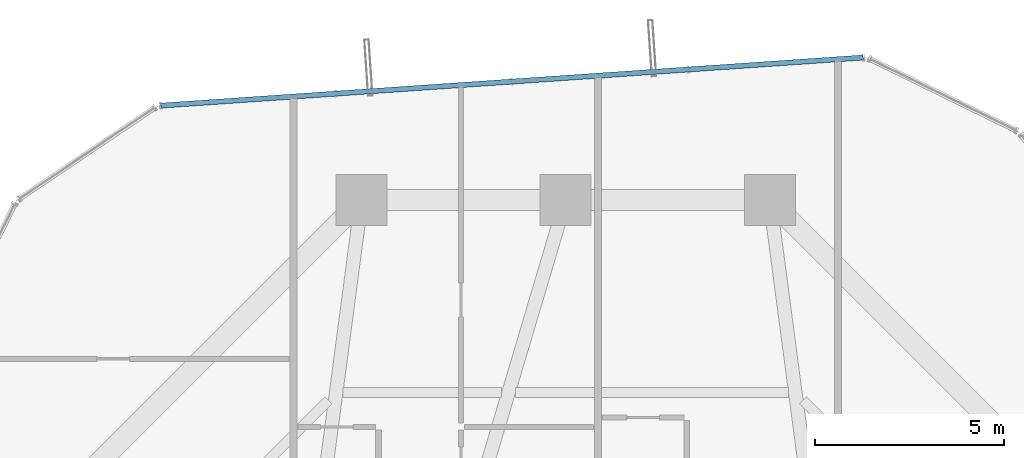
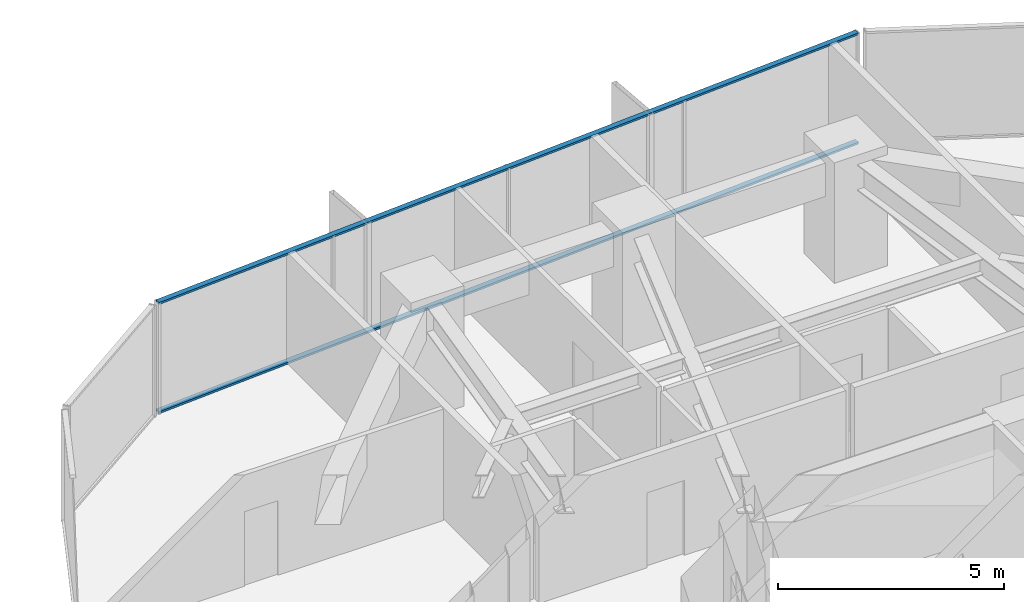
# One storey, part 26 of 37: 2 members, 1 element without a shape of its own.
"""IFC4 building model written with IfcOpenShell, lengths in metres."""

from ifc_helpers import new_model, si_unit, direction, frame, origin, origin_2d, place, context, subcontext, project, spatial, hollow_rectangle, extrude, source, transform, mapped, material, layer, layer_set, material_profile, profile_set, type_object, element, aggregate, save


model = new_model("IFC4")

# Units and contexts
model_context = context("Model", 3, precision=1e-05, world=origin(), true_north=direction((0.0, 1.0)))
body_context = subcontext(model_context, "Body", "Model", "MODEL_VIEW")
ifc_project = project(units=[si_unit("LENGTHUNIT", "METRE"), si_unit("AREAUNIT", "SQUARE_METRE"), si_unit("VOLUMEUNIT", "CUBIC_METRE"), si_unit("PLANEANGLEUNIT", "RADIAN"), si_unit("MASSUNIT", "GRAM", prefix="KILO")], contexts=[model_context])

# Site, building, storey
site_placement = place(None, origin())
site = spatial("IfcSite", under=ifc_project, at=site_placement, CompositionType="ELEMENT")
building_placement = place(site_placement, origin())
building = spatial("IfcBuilding", under=site, at=building_placement, Name="Veraguas Prism Commons", CompositionType="ELEMENT")
storey_placement = place(building_placement, frame((0.0, 0.0, 37.050048828125)))
storey = spatial("IfcBuildingStorey", under=building, at=storey_placement, Name="L09", CompositionType="ELEMENT", Elevation=37.050048828125)

# Curtain wall, members
ifc_material = material(Name="Anodised aluminium EN AW-6063 T6", Category="aluminium")
ifc_layer = layer(ifc_material, 0.169921875, Name="Unitised Flush Curtain Wall Zone 1", Category="aluminium")
ifc_layer_set = layer_set([ifc_layer], Name="Anodised aluminium EN AW-6063 T6")
curtain_wall_type = type_object("IfcCurtainWallType", Name="Unitised Flush Curtain Wall Zone 1", PredefinedType="NOTDEFINED", material=ifc_layer_set)
curtain_wall_placement = place(storey_placement, origin())
curtain_wall = element("IfcCurtainWall", 1, at=curtain_wall_placement, inside=storey, type_object=curtain_wall_type, Name="Tower Facade Curtain Wall L09-F2", PredefinedType="NOTDEFINED")
ifc_material_profile = material_profile(ifc_material, hollow_rectangle(XDim=0.054931640625, YDim=0.135009765625, WallThickness=0.0029296875, at=origin_2d()), Name="AL55X135X3")
ifc_profile_set = profile_set([ifc_material_profile], Name="Anodised aluminium EN AW-6063 T6")
member_type = type_object("IfcMemberType", Name="Curtain Wall Transom Standard AL 55x135x3", PredefinedType="USERDEFINED", material=ifc_profile_set)
shared_shape = source(origin(), body_context, "Body", "SweptSolid", [
    extrude(hollow_rectangle(XDim=0.054931640625, YDim=0.135009765625, WallThickness=0.0029296875, at=origin_2d()), origin(), (0.0, 0.0, 1.0), 18.62353515625),
])
member_1_placement = place(storey_placement, frame((31.869140625, 45.37255859375, 0.02734375), z_axis=(-0.997660422261, -0.068364331731, 0.0), x_axis=(0.0, 0.0, 1.0)))
member_1 = element("IfcMember", 2, at=member_1_placement, type_object=member_type, Name="CW-Z1 Transom 1", ObjectType="TRANSOM", PredefinedType="USERDEFINED", context=body_context, shape_type="MappedRepresentation", body=[
    mapped(shared_shape, transform((0.0, 0.0, 0.0), scale=1.0)),
])
member_2_placement = place(storey_placement, frame((31.869140625, 45.37255859375, 2.972412109375), z_axis=(-0.997660422261, -0.068364331731, 0.0), x_axis=(0.0, 0.0, 1.0)))
member_2 = element("IfcMember", 3, at=member_2_placement, type_object=member_type, Name="CW-Z1 Transom 2", ObjectType="TRANSOM", PredefinedType="USERDEFINED", context=body_context, shape_type="MappedRepresentation", body=[
    mapped(shared_shape, transform((0.0, 0.0, 0.0), scale=1.0)),
])
aggregate(curtain_wall, [member_1, member_2])

save(model, "model.ifc")
